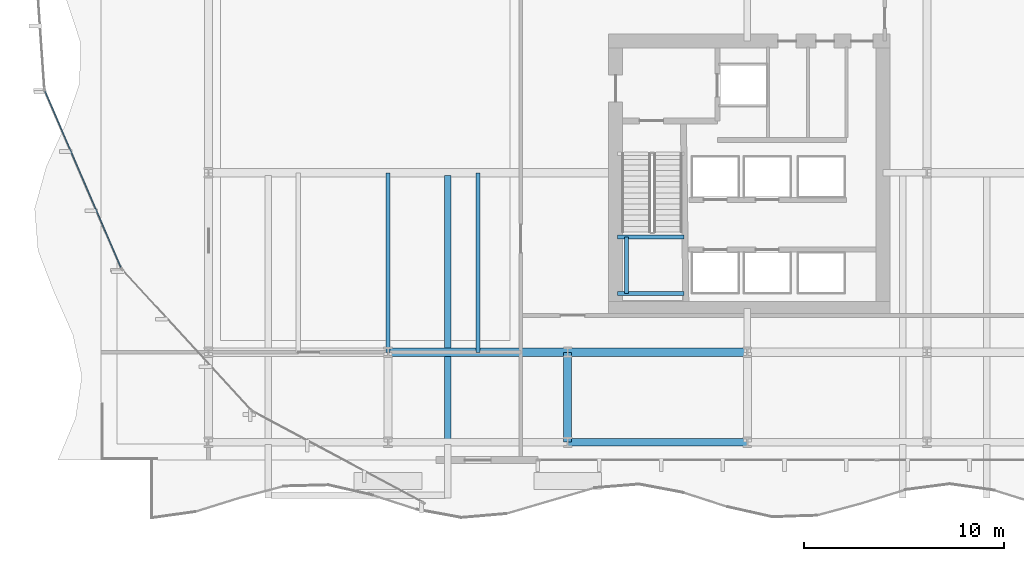
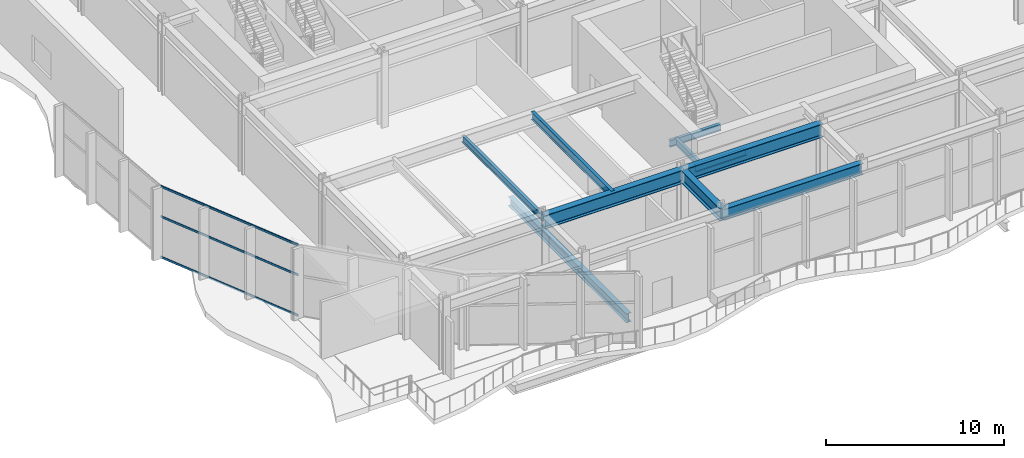
# One storey, part 4 of 31: 10 beams, 3 members, 1 element without a shape of its own.
"""IFC4 building model written with IfcOpenShell, lengths in metres."""

from ifc_helpers import new_model, si_unit, direction, frame, origin, origin_2d, place, context, subcontext, project, spatial, hollow_rectangle, i_section, extrude, material, layer, layer_set, material_profile, profile_set, type_object, element, aggregate, save


model = new_model("IFC4")

# Units and contexts
model_context = context("Model", 3, precision=1e-05, world=origin(), true_north=direction((0.0, 1.0)))
body_context = subcontext(model_context, "Body", "Model", "MODEL_VIEW")
ifc_project = project(units=[si_unit("LENGTHUNIT", "METRE"), si_unit("AREAUNIT", "SQUARE_METRE"), si_unit("VOLUMEUNIT", "CUBIC_METRE"), si_unit("PLANEANGLEUNIT", "RADIAN"), si_unit("MASSUNIT", "GRAM", prefix="KILO")], contexts=[model_context])

# Site, building, storey
site_placement = place(None, origin())
site = spatial("IfcSite", under=ifc_project, at=site_placement, CompositionType="ELEMENT")
building_placement = place(site_placement, origin())
building = spatial("IfcBuilding", under=site, at=building_placement, Name="Solvaryn Broadcast Tower", CompositionType="ELEMENT")
storey_placement = place(building_placement, frame((0.0, 0.0, 11.0)))
storey = spatial("IfcBuildingStorey", under=building, at=storey_placement, Name="L02", CompositionType="ELEMENT", Elevation=11.0)

# Beams
ifc_material_1 = material(Name="Steel ASTM A992 Grade 50", Category="steel")
ifc_material_profile_1 = material_profile(ifc_material_1, i_section(OverallWidth=0.323974609375, OverallDepth=0.611083984375, WebThickness=0.0126953125, FlangeThickness=0.01904296875, FilletRadius=0.014892578125, at=origin_2d()))
ifc_profile_set_1 = profile_set([ifc_material_profile_1], Name="Steel ASTM A992 Grade 50")
beam_type_1 = type_object("IfcBeamType", Name="BM-B1-W24X104", PredefinedType="BEAM", material=ifc_profile_set_1)
beam_1_placement = place(storey_placement, frame((21.0, 17.875, -0.62548828125), z_axis=(0.0, -1.0, 0.0), x_axis=(1.0, 0.0, 0.0)))
element("IfcBeam", 1, at=beam_1_placement, inside=storey, type_object=beam_type_1, Name="L02 Terrace Back-Span Beam X21.0", PredefinedType="BEAM", context=body_context, shape_type="SweptSolid", body=[
    extrude(i_section(OverallWidth=0.323974609375, OverallDepth=0.611083984375, WebThickness=0.0126953125, FlangeThickness=0.01904296875, FilletRadius=0.014892578125, at=origin_2d()), origin(), (0.0, 0.0, 1.0), 13.25),
])
ifc_material_2 = material(Name="Steel ASTM A992 Grade 50", Category="steel")
ifc_material_profile_2 = material_profile(ifc_material_2, i_section(OverallWidth=0.208984375, OverallDepth=0.532958984375, WebThickness=0.01025390625, FlangeThickness=0.015625, FilletRadius=0.013916015625, at=origin_2d()))
ifc_profile_set_2 = profile_set([ifc_material_profile_2], Name="Steel ASTM A992 Grade 50")
beam_type_2 = type_object("IfcBeamType", Name="BM-B3-W21X62", PredefinedType="BEAM", material=ifc_profile_set_2)
beam_2_placement = place(storey_placement, frame((22.5, 9.0, 4.613525390625), z_axis=(0.0, 1.0, 0.0), x_axis=(-1.0, 0.0, 0.0)))
element("IfcBeam", 2, at=beam_2_placement, inside=storey, type_object=beam_type_2, Name="L02 Studio Rigging Beam 3", PredefinedType="BEAM", context=body_context, shape_type="SweptSolid", body=[
    extrude(i_section(OverallWidth=0.208984375, OverallDepth=0.532958984375, WebThickness=0.01025390625, FlangeThickness=0.015625, FilletRadius=0.013916015625, at=origin_2d()), origin(), (0.0, 0.0, 1.0), 9.0),
])
ifc_material_3 = material(Name="Steel ASTM A992 Grade 50", Category="steel")
ifc_material_profile_3 = material_profile(ifc_material_3, i_section(OverallWidth=0.18994140625, OverallDepth=0.45703125, WebThickness=0.009033203125, FlangeThickness=0.014404296875, FilletRadius=0.011962890625, at=origin_2d()))
ifc_profile_set_3 = profile_set([ifc_material_profile_3], Name="Steel ASTM A992 Grade 50")
beam_type_3 = type_object("IfcBeamType", Name="BM-B4-W18X50", PredefinedType="BEAM", material=ifc_profile_set_3)
beam_3_placement = place(storey_placement, frame((18.0, 9.0, 4.613525390625), z_axis=(0.0, 1.0, 0.0), x_axis=(-1.0, 0.0, 0.0)))
element("IfcBeam", 3, at=beam_3_placement, inside=storey, type_object=beam_type_3, Name="L02 Studio Rigging Beam 2", PredefinedType="BEAM", context=body_context, shape_type="SweptSolid", body=[
    extrude(i_section(OverallWidth=0.18994140625, OverallDepth=0.45703125, WebThickness=0.009033203125, FlangeThickness=0.014404296875, FilletRadius=0.011962890625, at=origin_2d()), origin(), (0.0, 0.0, 1.0), 9.0),
])
for number, where, z_axis, x_axis, name in (
    (4, (29.5, 11.949951171875, 2.17138671875), (1.0, 0.0, 0.0), (0.0, 1.0, 0.0), "L02 ST3 Landing Support Beam 1A"),
    (5, (29.5, 14.7900390625, 2.17138671875), (1.0, 0.0, 0.0), (0.0, 1.0, 0.0), "L02 ST3 Landing Support Beam 1B"),
):
    element("IfcBeam", number, at=place(storey_placement, frame(where, z_axis=z_axis, x_axis=x_axis)), inside=storey, type_object=beam_type_3, Name=name, PredefinedType="BEAM", context=body_context, shape_type="SweptSolid", body=[
        extrude(i_section(OverallWidth=0.18994140625, OverallDepth=0.45703125, WebThickness=0.009033203125, FlangeThickness=0.014404296875, FilletRadius=0.011962890625, at=origin_2d()), origin(), (0.0, 0.0, 1.0), 3.320068359375),
    ])
beam_4_placement = place(storey_placement, frame((29.949951171875, 11.949951171875, 2.17138671875), z_axis=(0.0, 1.0, 0.0), x_axis=(-1.0, 0.0, 0.0)))
element("IfcBeam", 6, at=beam_4_placement, inside=storey, type_object=beam_type_3, Name="L02 ST3 Landing Cross Stringer 1C", PredefinedType="BEAM", context=body_context, shape_type="SweptSolid", body=[
    extrude(i_section(OverallWidth=0.18994140625, OverallDepth=0.45703125, WebThickness=0.009033203125, FlangeThickness=0.014404296875, FilletRadius=0.011962890625, at=origin_2d()), origin(), (0.0, 0.0, 1.0), 2.840087890625),
])
ifc_material_4 = material(Name="Steel ASTM A992 Grade 50", Category="steel")
ifc_material_profile_4 = material_profile(ifc_material_4, i_section(OverallWidth=0.41796875, OverallDepth=0.927001953125, WebThickness=0.019287109375, FlangeThickness=0.031982421875, FilletRadius=0.02392578125, at=origin_2d()))
ifc_profile_set_4 = profile_set([ifc_material_profile_4], Name="Steel ASTM A992 Grade 50")
beam_type_4 = type_object("IfcBeamType", Name="BM-G2-W36X231", PredefinedType="BEAM", material=ifc_profile_set_4)
for number, where, z_axis, x_axis, name in (
    (7, (18.0, 9.0, 4.41650390625), (1.0, 0.0, 0.0), (0.0, 1.0, 0.0), "L02 Primary Beam X (18-27 @ Y=9)"),
    (8, (27.0, 9.0, 4.41650390625), (1.0, 0.0, 0.0), (0.0, 1.0, 0.0), "L02 Primary Beam X (27-36 @ Y=9)"),
):
    element("IfcBeam", number, at=place(storey_placement, frame(where, z_axis=z_axis, x_axis=x_axis)), inside=storey, type_object=beam_type_4, Name=name, PredefinedType="BEAM", context=body_context, shape_type="SweptSolid", body=[
        extrude(i_section(OverallWidth=0.41796875, OverallDepth=0.927001953125, WebThickness=0.019287109375, FlangeThickness=0.031982421875, FilletRadius=0.02392578125, at=origin_2d()), origin(), (0.0, 0.0, 1.0), 9.0),
    ])
ifc_material_5 = material(Name="Steel ASTM A992 Grade 50", Category="steel")
ifc_material_profile_5 = material_profile(ifc_material_5, i_section(OverallWidth=0.39990234375, OverallDepth=0.85498046875, WebThickness=0.018310546875, FlangeThickness=0.029296875, FilletRadius=0.02001953125, at=origin_2d()))
ifc_profile_set_5 = profile_set([ifc_material_profile_5], Name="Steel ASTM A992 Grade 50")
beam_type_5 = type_object("IfcBeamType", Name="BM-G3-W33X201", PredefinedType="BEAM", material=ifc_profile_set_5)
beam_5_placement = place(storey_placement, frame((27.0, 4.5, 4.452392578125), z_axis=(0.0, 1.0, 0.0), x_axis=(-1.0, 0.0, 0.0)))
element("IfcBeam", 9, at=beam_5_placement, inside=storey, type_object=beam_type_5, Name="L02 Primary Beam Y (4-9 @ X=27)", PredefinedType="BEAM", context=body_context, shape_type="SweptSolid", body=[
    extrude(i_section(OverallWidth=0.39990234375, OverallDepth=0.85498046875, WebThickness=0.018310546875, FlangeThickness=0.029296875, FilletRadius=0.02001953125, at=origin_2d()), origin(), (0.0, 0.0, 1.0), 4.5),
])
ifc_material_6 = material(Name="Steel ASTM A992 Grade 50", Category="steel")
ifc_material_profile_6 = material_profile(ifc_material_6, i_section(OverallWidth=0.381103515625, OverallDepth=0.77294921875, WebThickness=0.0166015625, FlangeThickness=0.027099609375, FilletRadius=0.01806640625, at=origin_2d()))
ifc_profile_set_6 = profile_set([ifc_material_profile_6], Name="Steel ASTM A992 Grade 50")
beam_type_6 = type_object("IfcBeamType", Name="BM-SP1-W30X173", PredefinedType="USERDEFINED", material=ifc_profile_set_6)
beam_6_placement = place(storey_placement, frame((27.0, 4.5, 4.493408203125), z_axis=(1.0, 0.0, 0.0), x_axis=(0.0, 1.0, 0.0)))
element("IfcBeam", 10, at=beam_6_placement, inside=storey, type_object=beam_type_6, Name="L02 Spandrel Beam X (27-36 @ Y=4)", ObjectType="SPANDREL", PredefinedType="USERDEFINED", context=body_context, shape_type="SweptSolid", body=[
    extrude(i_section(OverallWidth=0.381103515625, OverallDepth=0.77294921875, WebThickness=0.0166015625, FlangeThickness=0.027099609375, FilletRadius=0.01806640625, at=origin_2d()), origin(), (0.0, 0.0, 1.0), 9.0),
])

# Curtain wall, members
ifc_material_7 = material(Name="Aluminium and Terracotta Unitised Curtain Wall", Category="masonry")
ifc_layer = layer(ifc_material_7, 0.219970703125)
ifc_layer_set = layer_set([ifc_layer], Name="CW-SYS1-PODIUM")
curtain_wall_type = type_object("IfcCurtainWallType", Name="CW-SYS1-PODIUM", PredefinedType="NOTDEFINED", material=ifc_layer_set)
curtain_wall_placement = place(storey_placement, origin())
curtain_wall = element("IfcCurtainWall", 11, at=curtain_wall_placement, inside=storey, type_object=curtain_wall_type, Name="L02 Podium Curtain Wall DC2", PredefinedType="NOTDEFINED")
ifc_material_8 = material(Name="Anodised Aluminium 6063-T6", Category="aluminium")
ifc_material_profile_7 = material_profile(ifc_material_8, hollow_rectangle(XDim=0.06494140625, YDim=0.14990234375, WallThickness=0.00390625, InnerFilletRadius=0.00390625, OuterFilletRadius=0.008056640625, at=origin_2d()))
ifc_profile_set_7 = profile_set([ifc_material_profile_7], Name="Anodised Aluminium 6063-T6")
member_type = type_object("IfcMemberType", Name="CW-TRN-150", PredefinedType="USERDEFINED", material=ifc_profile_set_7)
member_1_placement = place(storey_placement, frame((0.8046875, 22.087890625, 0.030029296875), z_axis=(0.395535177287, -0.918450828041, 0.0), x_axis=(0.918450828041, 0.395535177287, 0.0)))
member_1 = element("IfcMember", 12, at=member_1_placement, type_object=member_type, Name="CWS1 transom 1.1", ObjectType="TRANSOM", PredefinedType="USERDEFINED", context=body_context, shape_type="SweptSolid", body=[
    extrude(hollow_rectangle(XDim=0.06494140625, YDim=0.14990234375, WallThickness=0.00390625, InnerFilletRadius=0.00390625, OuterFilletRadius=0.008056640625, at=origin_2d()), origin(), (0.0, 0.0, 1.0), 9.606201171875),
])
member_2_placement = place(storey_placement, frame((0.8046875, 22.087890625, 2.800048828125), z_axis=(0.395535177287, -0.918450828041, 0.0), x_axis=(0.918450828041, 0.395535177287, 0.0)))
member_2 = element("IfcMember", 13, at=member_2_placement, type_object=member_type, Name="CWS1 transom 1.2", ObjectType="TRANSOM", PredefinedType="USERDEFINED", context=body_context, shape_type="SweptSolid", body=[
    extrude(hollow_rectangle(XDim=0.06494140625, YDim=0.14990234375, WallThickness=0.00390625, InnerFilletRadius=0.00390625, OuterFilletRadius=0.008056640625, at=origin_2d()), origin(), (0.0, 0.0, 1.0), 9.606201171875),
])
member_3_placement = place(storey_placement, frame((0.8046875, 22.087890625, 4.85009765625), z_axis=(0.395535177287, -0.918450828041, 0.0), x_axis=(0.918450828041, 0.395535177287, 0.0)))
member_3 = element("IfcMember", 14, at=member_3_placement, type_object=member_type, Name="CWS1 transom 1.3", ObjectType="TRANSOM", PredefinedType="USERDEFINED", context=body_context, shape_type="SweptSolid", body=[
    extrude(hollow_rectangle(XDim=0.06494140625, YDim=0.14990234375, WallThickness=0.00390625, InnerFilletRadius=0.00390625, OuterFilletRadius=0.008056640625, at=origin_2d()), origin(), (0.0, 0.0, 1.0), 9.606201171875),
])
aggregate(curtain_wall, [member_1, member_2, member_3])

save(model, "model.ifc")
